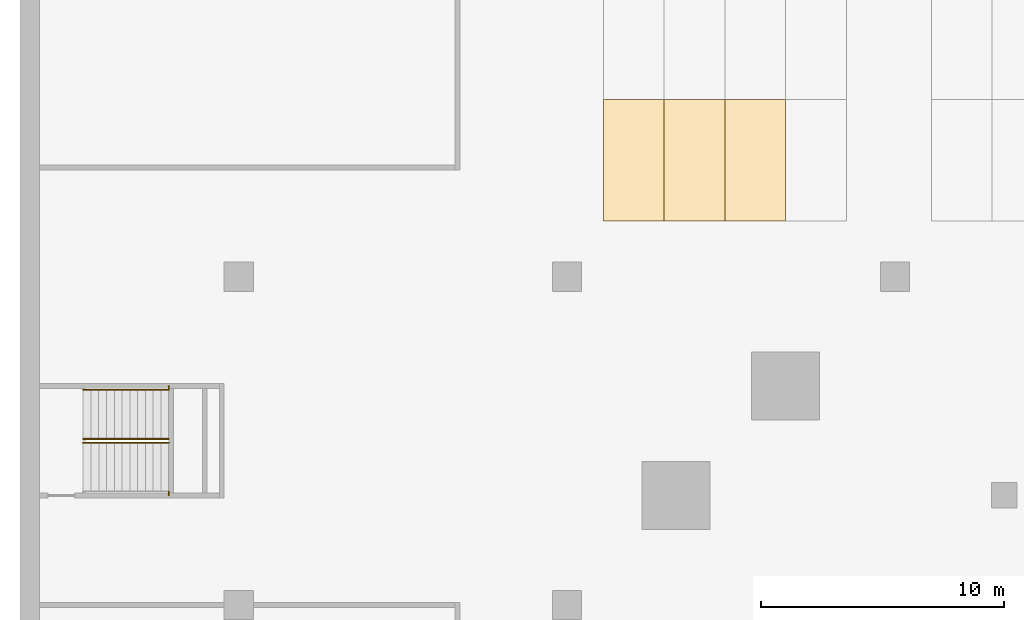
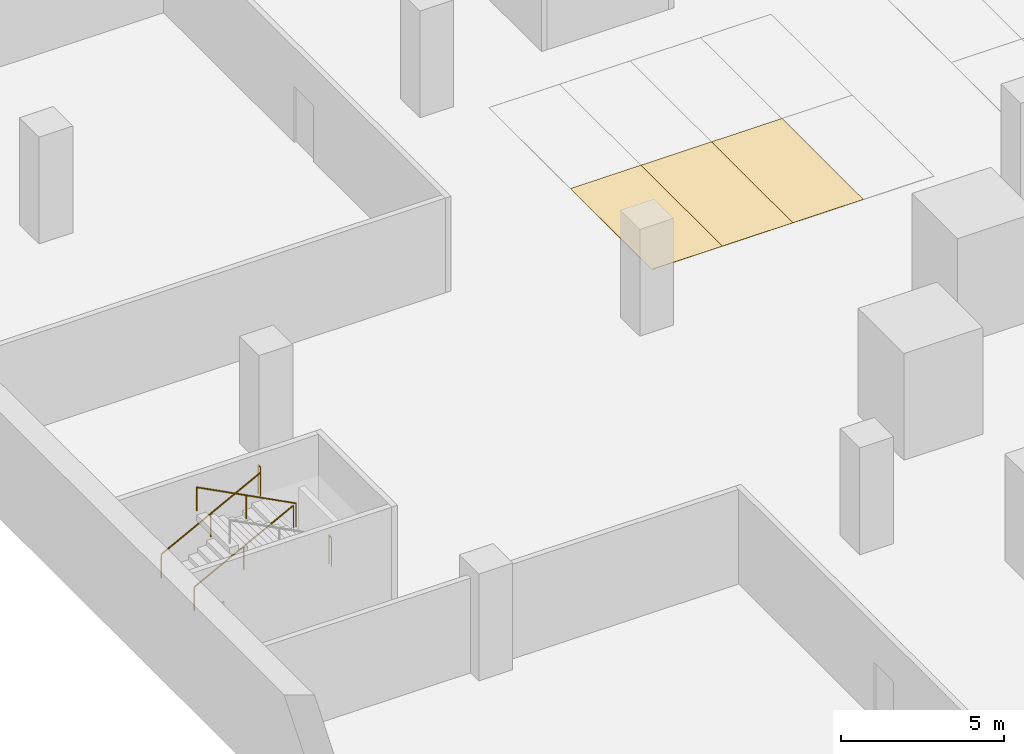
# One storey, part 24 of 31: 5 railings, 3 coverings.
"""IFC4 building model written with IfcOpenShell, lengths in metres."""

from ifc_helpers import new_model, si_unit, direction, frame, origin, origin_2d, place, context, subcontext, project, spatial, polyline, circle, outline, extrude, source, transform, mapped, material, layer, layer_set, type_object, element, save


model = new_model("IFC4")

# Units and contexts
model_context = context("Model", 3, precision=1e-05, world=origin(), true_north=direction((0.0, 1.0)))
body_context = subcontext(model_context, "Body", "Model", "MODEL_VIEW")
ifc_project = project(units=[si_unit("LENGTHUNIT", "METRE"), si_unit("AREAUNIT", "SQUARE_METRE"), si_unit("VOLUMEUNIT", "CUBIC_METRE"), si_unit("PLANEANGLEUNIT", "RADIAN"), si_unit("MASSUNIT", "GRAM", prefix="KILO")], contexts=[model_context])

# Site, building, storey
site_placement = place(None, origin())
site = spatial("IfcSite", under=ifc_project, at=site_placement, CompositionType="ELEMENT")
building_placement = place(site_placement, origin())
building = spatial("IfcBuilding", under=site, at=building_placement, Name="Altepetl Exchange Towers", CompositionType="ELEMENT")
storey_placement = place(building_placement, frame((0.0, 0.0, -4.0)))
storey = spatial("IfcBuildingStorey", under=building, at=storey_placement, Name="B1 Basement services", CompositionType="ELEMENT", Elevation=-4.0)

# Coverings
ifc_material_1 = material(Name="Road marking paint")
ifc_layer = layer(ifc_material_1, 0.010009765625)
ifc_layer_set = layer_set([ifc_layer], Name="Road marking paint")
covering_type = type_object("IfcCoveringType", Name="Parking bay marking 2500 x 5000", PredefinedType="FLOORING", material=ifc_layer_set)
covering_1_placement = place(storey_placement, origin())
element("IfcCovering", 1, at=covering_1_placement, inside=storey, type_object=covering_type, Name="Parking bay B1-112", PredefinedType="FLOORING", context=body_context, shape_type="SweptSolid", body=[
    extrude(outline(polyline([(24.0, 78.800048828125), (26.5, 78.800048828125), (26.5, 83.800048828125), (24.0, 83.800048828125), (24.0, 78.800048828125)])), origin(), (0.0, 0.0, 1.0), 0.010009765625),
])
covering_2_placement = place(storey_placement, origin())
element("IfcCovering", 2, at=covering_2_placement, inside=storey, type_object=covering_type, Name="Parking bay B1-113", PredefinedType="FLOORING", context=body_context, shape_type="SweptSolid", body=[
    extrude(outline(polyline([(26.5, 78.800048828125), (29.0, 78.800048828125), (29.0, 83.800048828125), (26.5, 83.800048828125), (26.5, 78.800048828125)])), origin(), (0.0, 0.0, 1.0), 0.010009765625),
])
covering_3_placement = place(storey_placement, origin())
element("IfcCovering", 3, at=covering_3_placement, inside=storey, type_object=covering_type, Name="Parking bay B1-114", PredefinedType="FLOORING", context=body_context, shape_type="SweptSolid", body=[
    extrude(outline(polyline([(29.0, 78.800048828125), (31.5, 78.800048828125), (31.5, 83.800048828125), (29.0, 83.800048828125), (29.0, 78.800048828125)])), origin(), (0.0, 0.0, 1.0), 0.010009765625),
])

# Railings
ifc_material_2 = material(Name="Laminated glass and steel", Category="steel")
railing_type_1 = type_object("IfcRailingType", Name="Hall gallery guard 1100", PredefinedType="GUARDRAIL", material=ifc_material_2)
shared_shape_1 = source(origin(), body_context, "Body", "SweptSolid", [
    extrude(circle(Radius=0.02001953125, at=origin_2d()), origin(), (0.0, 0.0, 1.0), 1.050048828125),
])
for number, where, name in (
    (4, (6.1201171875, 72.0, 2.0), "rail:P:B1:ES4land0"),
    (5, (6.1201171875, 67.64990234375, 2.0), "rail:P:B1:ES4land1"),
):
    element("IfcRailing", number, at=place(storey_placement, frame(where)), inside=storey, type_object=railing_type_1, Name=name, PredefinedType="GUARDRAIL", context=body_context, shape_type="SweptSolid", body=[
        extrude(circle(Radius=0.02490234375, at=origin_2d()), frame((0.0, 0.0, 1.0751953125), z_axis=(0.0, -1.0, 0.0), x_axis=(1.0, 0.0, 0.0)), (0.0, 0.0, 1.0), 0.14990234375),
        mapped(shared_shape_1, transform((0.0, 0.0, 0.0))),
        mapped(shared_shape_1, transform((0.0, -0.14990234375, 0.0))),
    ])
ifc_material_3 = material(Name="Stainless steel", Category="steel")
railing_type_2 = type_object("IfcRailingType", Name="Stair handrail 900", PredefinedType="HANDRAIL", material=ifc_material_3)
shared_shape_2 = source(origin(), body_context, "Body", "SweptSolid", [
    extrude(circle(Radius=0.02001953125, at=origin_2d()), origin(), (0.0, 0.0, 1.0), 0.849853515625),
])
for number, where, name in (
    (6, (2.60009765625, 71.85009765625, 0.166748046875), "rail:P:B1:ES4:1a"),
    (7, (2.60009765625, 69.824951171875, 0.166748046875), "rail:P:B1:ES4:1b"),
):
    element("IfcRailing", number, at=place(storey_placement, frame(where)), inside=storey, type_object=railing_type_2, Name=name, PredefinedType="HANDRAIL", context=body_context, shape_type="SweptSolid", body=[
        extrude(circle(Radius=0.02490234375, at=origin_2d()), frame((0.0, 0.0, 0.875), z_axis=(0.886923534906, 0.0, 0.461916272965), x_axis=(0.0, 1.0, 0.0)), (0.0, 0.0, 1.0), 3.96875),
        mapped(shared_shape_2, transform((0.0, 0.0, 0.0))),
        mapped(shared_shape_2, transform((1.760009765625, 0.0, 0.91650390625))),
        mapped(shared_shape_2, transform((3.52001953125, 0.0, 1.833251953125))),
    ])
railing_placement = place(storey_placement, frame((6.1201171875, 69.675048828125, 2.166748046875)))
element("IfcRailing", 8, at=railing_placement, inside=storey, type_object=railing_type_2, Name="rail:P:B1:ES4:2a", PredefinedType="HANDRAIL", context=body_context, shape_type="SweptSolid", body=[
    extrude(circle(Radius=0.02490234375, at=origin_2d()), frame((0.0, 0.0, 0.875), z_axis=(-0.886923534906, 0.0, 0.461916272965), x_axis=(0.0, -1.0, 0.0)), (0.0, 0.0, 1.0), 3.96875),
    mapped(shared_shape_2, transform((0.0, 0.0, 0.0))),
    mapped(shared_shape_2, transform((-1.760009765625, 0.0, 0.91650390625))),
    mapped(shared_shape_2, transform((-3.52001953125, 0.0, 1.833251953125))),
])

save(model, "model.ifc")
